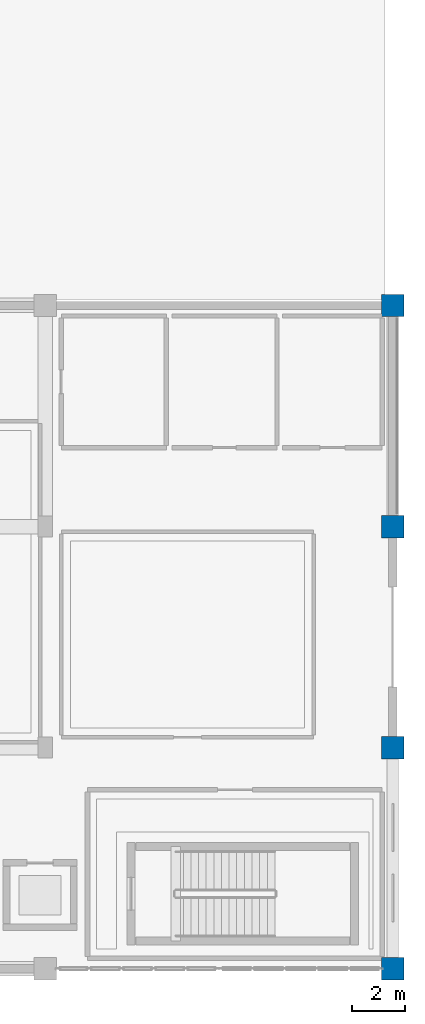
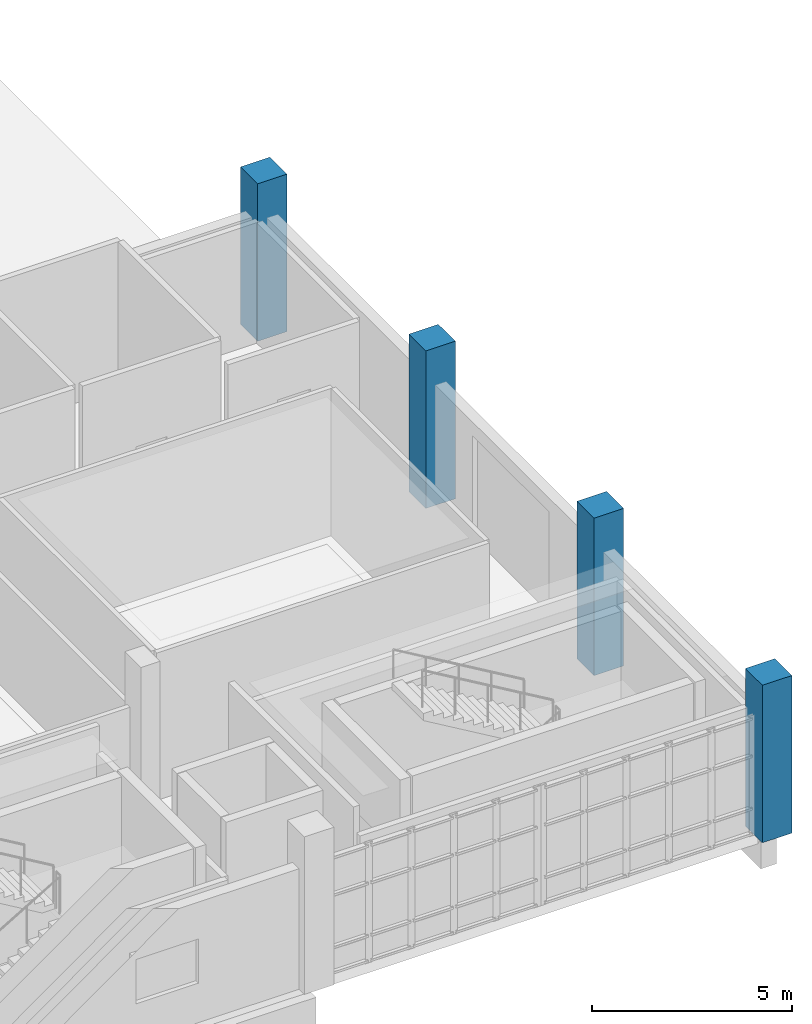
# One storey, part 17 of 97: 4 columns.
"""IFC4 building model written with IfcOpenShell, lengths in metres."""

from ifc_helpers import new_model, si_unit, direction, frame, origin, origin_2d, place, context, subcontext, project, spatial, rectangle, extrude, material, material_profile, profile_set, type_object, element, save


model = new_model("IFC4")

# Units and contexts
model_context = context("Model", 3, precision=1e-05, world=origin(), true_north=direction((0.0, 1.0)))
body_context = subcontext(model_context, "Body", "Model", "MODEL_VIEW")
ifc_project = project(units=[si_unit("LENGTHUNIT", "METRE"), si_unit("AREAUNIT", "SQUARE_METRE"), si_unit("VOLUMEUNIT", "CUBIC_METRE"), si_unit("PLANEANGLEUNIT", "RADIAN"), si_unit("MASSUNIT", "GRAM", prefix="KILO")], contexts=[model_context])

# Site, building, storey
site_placement = place(None, origin())
site = spatial("IfcSite", under=ifc_project, at=site_placement, CompositionType="ELEMENT")
building_placement = place(site_placement, origin())
building = spatial("IfcBuilding", under=site, at=building_placement, Name="Kisaragi Civic Commons", CompositionType="ELEMENT")
storey_placement = place(building_placement, origin())
storey = spatial("IfcBuildingStorey", under=building, at=storey_placement, Name="L00", CompositionType="ELEMENT", Elevation=0.0)

# Columns
ifc_material = material(Name="Concrete Fc36", Category="concrete")
ifc_material_profile = material_profile(ifc_material, rectangle(XDim=0.85009765625, YDim=0.85009765625, at=origin_2d()), Name="RC-850x850", Category="concrete")
ifc_profile_set = profile_set([ifc_material_profile], Name="Concrete Fc36")
column_type = type_object("IfcColumnType", Name="C-05", PredefinedType="COLUMN", material=ifc_profile_set)
for number, where, z_axis, x_axis, name in (
    (1, (172.800048828125, 0.0, 0.0), (0.0, 0.0, 1.0), (1.0, 0.0, 0.0), "L00 column C-05 (172.8,0.0)"),
    (2, (172.800048828125, 8.39990234375, 0.0), (0.0, 0.0, 1.0), (1.0, 0.0, 0.0), "L00 column C-05 (172.8,8.4)"),
    (3, (172.800048828125, 16.800048828125, 0.0), (0.0, 0.0, 1.0), (1.0, 0.0, 0.0), "L00 column C-05 (172.8,16.8)"),
    (4, (172.800048828125, 25.199951171875, 0.0), (0.0, 0.0, 1.0), (1.0, 0.0, 0.0), "L00 column C-05 (172.8,25.2)"),
):
    element("IfcColumn", number, at=place(storey_placement, frame(where, z_axis=z_axis, x_axis=x_axis)), inside=storey, type_object=column_type, Name=name, PredefinedType="COLUMN", context=body_context, shape_type="SweptSolid", body=[
        extrude(rectangle(XDim=0.85009765625, YDim=0.85009765625, at=origin_2d()), origin(), (0.0, 0.0, 1.0), 4.800048828125),
    ])

save(model, "model.ifc")
